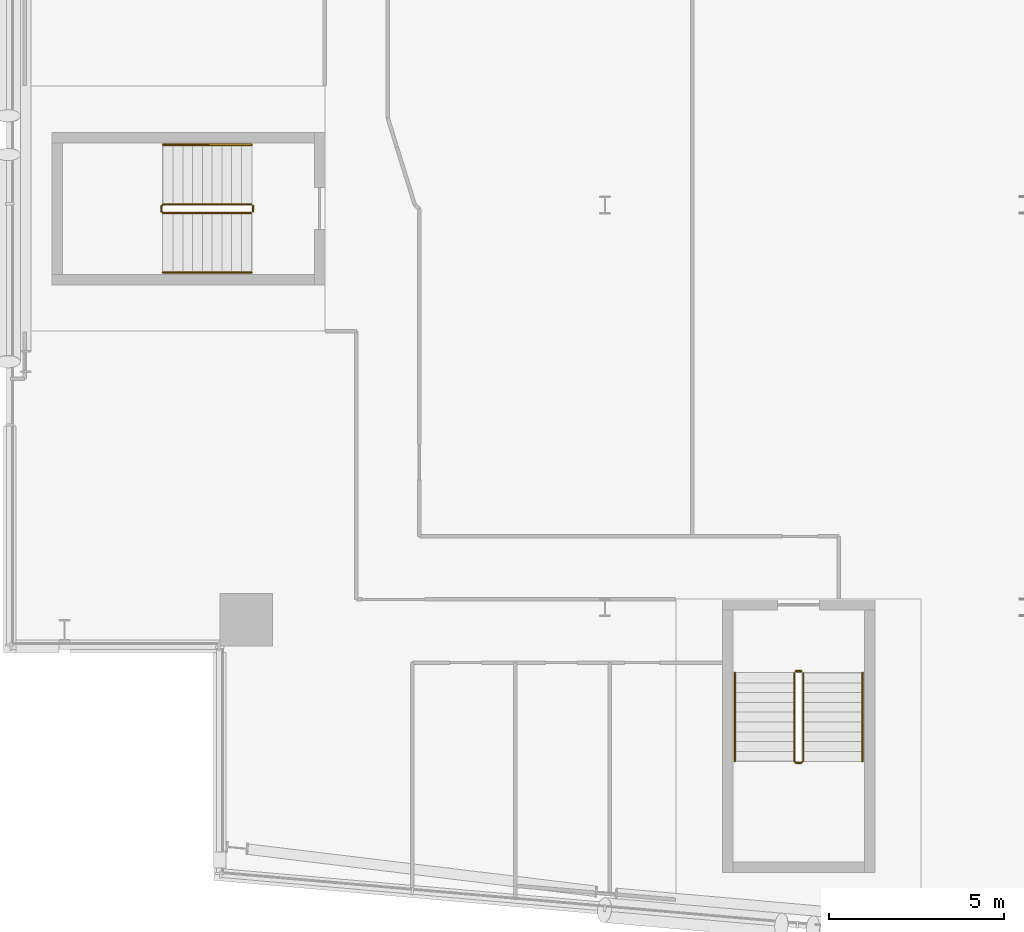
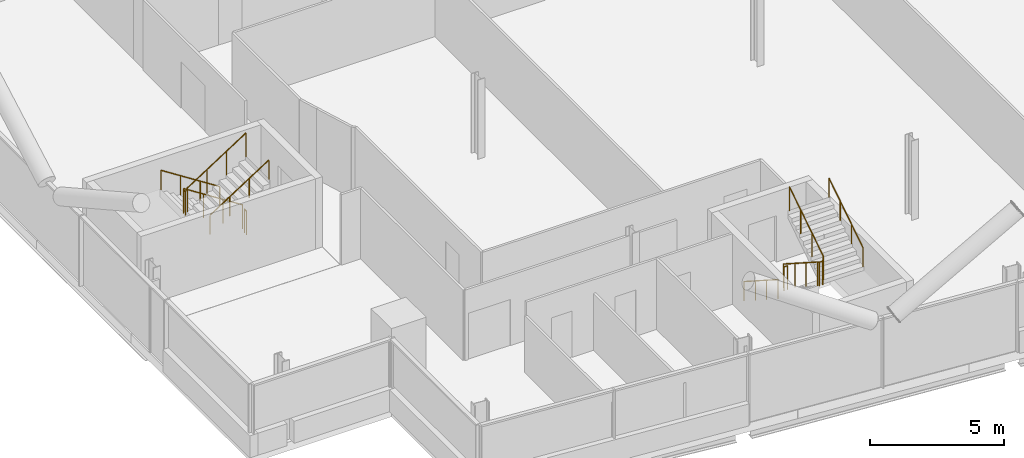
# One storey, part 24 of 26: 8 railings.
"""IFC4 building model written with IfcOpenShell, lengths in metres."""

from ifc_helpers import new_model, si_unit, direction, frame, origin, origin_2d, place, context, subcontext, project, spatial, circle, extrude, material, type_object, element, save


model = new_model("IFC4")

# Units and contexts
model_context = context("Model", 3, precision=1e-05, world=origin(), true_north=direction((0.0, 1.0)))
body_context = subcontext(model_context, "Body", "Model", "MODEL_VIEW")
ifc_project = project(units=[si_unit("LENGTHUNIT", "METRE"), si_unit("AREAUNIT", "SQUARE_METRE"), si_unit("VOLUMEUNIT", "CUBIC_METRE"), si_unit("PLANEANGLEUNIT", "RADIAN"), si_unit("MASSUNIT", "GRAM", prefix="KILO")], contexts=[model_context])

# Site, building, storey
site_placement = place(None, origin())
site = spatial("IfcSite", under=ifc_project, at=site_placement, CompositionType="ELEMENT")
building_placement = place(site_placement, origin())
building = spatial("IfcBuilding", under=site, at=building_placement, Name="Wharfspan Tower", CompositionType="ELEMENT")
storey_placement = place(building_placement, frame((0.0, 0.0, 180.699951)))
storey = spatial("IfcBuildingStorey", under=building, at=storey_placement, Name="L44", CompositionType="ELEMENT", Elevation=180.699951)

# Railings
ifc_material = material(Name="Steel S355J2", Category="steel")
railing_type_1 = type_object("IfcRailingType", Name="Stair guard 1100", PredefinedType="GUARDRAIL", material=ifc_material)
railing_1_placement = place(storey_placement, frame((13.899902, 23.024902, 0.179932)))
element("IfcRailing", 1, at=railing_1_placement, inside=storey, type_object=railing_type_1, Name="L44 ST3 stair guard 1", PredefinedType="GUARDRAIL", context=body_context, shape_type="SweptSolid", body=[
    extrude(circle(Radius=0.023926, at=origin_2d()), frame((0.0, 0.0, 1.076172), z_axis=(-0.841163, 0.0, 0.540782), x_axis=(0.0, -1.0, 0.0)), (0.0, 0.0, 1.0), 2.99585),
    extrude(circle(Radius=0.023926, at=origin_2d()), frame((-2.52002, 0.0, 2.696289), z_axis=(-0.707107, -0.707107, 0.0), x_axis=(0.707107, -0.707107, 0.0)), (0.0, 0.0, 1.0), 0.070312),
    extrude(circle(Radius=0.023926, at=origin_2d()), frame((-2.569824, -0.049805, 2.696289), z_axis=(0.0, -1.0, 0.0), x_axis=(1.0, 0.0, 0.0)), (0.0, 0.0, 1.0), 0.150146),
    extrude(circle(Radius=0.023926, at=origin_2d()), frame((-2.569824, -0.199951, 2.696289), z_axis=(0.257669, -0.258932, 0.930892), x_axis=(0.708833, 0.705372, -1e-06)), (0.0, 0.0, 1.0), 0.193359),
    extrude(circle(Radius=0.023926, at=origin_2d()), frame((-2.52002, -0.25, 2.875977), z_axis=(0.841163, 0.0, 0.540782), x_axis=(0.0, 1.0, 0.0)), (0.0, 0.0, 1.0), 2.99585),
    extrude(circle(Radius=0.020996, at=origin_2d()), origin(), (0.0, 0.0, 1.0), 1.052002),
    extrude(circle(Radius=0.020996, at=origin_2d()), frame((-0.840088, 0.0, 0.540039)), (0.0, 0.0, 1.0), 1.052002),
    extrude(circle(Radius=0.020996, at=origin_2d()), frame((-1.679932, 0.0, 1.080078)), (0.0, 0.0, 1.0), 1.052002),
    extrude(circle(Radius=0.020996, at=origin_2d()), frame((-2.52002, 0.0, 1.620117)), (0.0, 0.0, 1.0), 1.052002),
    extrude(circle(Radius=0.020996, at=origin_2d()), frame((-2.569824, -0.049805, 1.620117)), (0.0, 0.0, 1.0), 1.052002),
    extrude(circle(Radius=0.020996, at=origin_2d()), frame((-2.569824, -0.199951, 1.620117)), (0.0, 0.0, 1.0), 1.052002),
    extrude(circle(Radius=0.020996, at=origin_2d()), frame((-2.52002, -0.25, 1.800049)), (0.0, 0.0, 1.0), 1.052002),
    extrude(circle(Radius=0.020996, at=origin_2d()), frame((-1.679932, -0.25, 2.340088)), (0.0, 0.0, 1.0), 1.052002),
    extrude(circle(Radius=0.020996, at=origin_2d()), frame((-0.840088, -0.25, 2.880127)), (0.0, 0.0, 1.0), 1.052002),
    extrude(circle(Radius=0.020996, at=origin_2d()), frame((0.0, -0.25, 3.420166)), (0.0, 0.0, 1.0), 1.052002),
])
railing_2_placement = place(storey_placement, frame((13.949951, 22.975098, 0.0)))
element("IfcRailing", 2, at=railing_2_placement, inside=storey, type_object=railing_type_1, Name="L44 ST3 stair guard 2", PredefinedType="GUARDRAIL", context=body_context, shape_type="SweptSolid", body=[
    extrude(circle(Radius=0.023926, at=origin_2d()), frame((0.0, 0.0, 1.076172), z_axis=(0.0, -1.0, 0.0), x_axis=(1.0, 0.0, 0.0)), (0.0, 0.0, 1.0), 0.150146),
    extrude(circle(Radius=0.020996, at=origin_2d()), origin(), (0.0, 0.0, 1.0), 1.052002),
    extrude(circle(Radius=0.020996, at=origin_2d()), frame((0.0, -0.150146, 0.0)), (0.0, 0.0, 1.0), 1.052002),
])
railing_3_placement = place(storey_placement, frame((29.414307, 9.634277, 0.179932)))
element("IfcRailing", 3, at=railing_3_placement, inside=storey, type_object=railing_type_1, Name="L44 ST4 stair guard 1", PredefinedType="GUARDRAIL", context=body_context, shape_type="SweptSolid", body=[
    extrude(circle(Radius=0.023926, at=origin_2d()), frame((0.0, 0.0, 1.076172), z_axis=(0.0, -0.841163, 0.540782), x_axis=(1.0, 0.0, 0.0)), (0.0, 0.0, 1.0), 2.99585),
    extrude(circle(Radius=0.023926, at=origin_2d()), frame((0.0, -2.52002, 2.696289), z_axis=(0.705376, -0.708834, 0.0), x_axis=(0.708834, 0.705376, 0.0)), (0.0, 0.0, 1.0), 0.070557),
    extrude(circle(Radius=0.023926, at=origin_2d()), frame((0.049805, -2.570068, 2.696289), z_axis=(1.0, 0.0, 0.0), x_axis=(0.0, 1.0, 0.0)), (0.0, 0.0, 1.0), 0.150146),
    extrude(circle(Radius=0.023926, at=origin_2d()), frame((0.199951, -2.570068, 2.696289), z_axis=(0.258848, 0.258848, 0.930589), x_axis=(-0.707107, 0.707107, 0.0)), (0.0, 0.0, 1.0), 0.193359),
    extrude(circle(Radius=0.023926, at=origin_2d()), frame((0.25, -2.52002, 2.875977), z_axis=(0.0, 0.841163, 0.540782), x_axis=(-1.0, 0.0, 0.0)), (0.0, 0.0, 1.0), 2.99585),
    extrude(circle(Radius=0.020996, at=origin_2d()), origin(), (0.0, 0.0, 1.0), 1.052002),
    extrude(circle(Radius=0.020996, at=origin_2d()), frame((0.0, -0.840088, 0.540039)), (0.0, 0.0, 1.0), 1.052002),
    extrude(circle(Radius=0.020996, at=origin_2d()), frame((0.0, -1.679932, 1.080078)), (0.0, 0.0, 1.0), 1.052002),
    extrude(circle(Radius=0.020996, at=origin_2d()), frame((0.0, -2.52002, 1.620117)), (0.0, 0.0, 1.0), 1.052002),
    extrude(circle(Radius=0.020996, at=origin_2d()), frame((0.049805, -2.570068, 1.620117)), (0.0, 0.0, 1.0), 1.052002),
    extrude(circle(Radius=0.020996, at=origin_2d()), frame((0.199951, -2.570068, 1.620117)), (0.0, 0.0, 1.0), 1.052002),
    extrude(circle(Radius=0.020996, at=origin_2d()), frame((0.25, -2.52002, 1.800049)), (0.0, 0.0, 1.0), 1.052002),
    extrude(circle(Radius=0.020996, at=origin_2d()), frame((0.25, -1.679932, 2.340088)), (0.0, 0.0, 1.0), 1.052002),
    extrude(circle(Radius=0.020996, at=origin_2d()), frame((0.25, -0.840088, 2.880127)), (0.0, 0.0, 1.0), 1.052002),
    extrude(circle(Radius=0.020996, at=origin_2d()), frame((0.25, 0.0, 3.420166)), (0.0, 0.0, 1.0), 1.052002),
])
railing_4_placement = place(storey_placement, frame((29.464111, 9.684326, 0.0)))
element("IfcRailing", 4, at=railing_4_placement, inside=storey, type_object=railing_type_1, Name="L44 ST4 stair guard 2", PredefinedType="GUARDRAIL", context=body_context, shape_type="SweptSolid", body=[
    extrude(circle(Radius=0.023926, at=origin_2d()), frame((0.0, 0.0, 1.076172), z_axis=(1.0, 0.0, 0.0), x_axis=(0.0, 1.0, 0.0)), (0.0, 0.0, 1.0), 0.150146),
    extrude(circle(Radius=0.020996, at=origin_2d()), origin(), (0.0, 0.0, 1.0), 1.052002),
    extrude(circle(Radius=0.020996, at=origin_2d()), frame((0.150146, 0.0, 0.0)), (0.0, 0.0, 1.0), 1.052002),
])
railing_type_2 = type_object("IfcRailingType", Name="Stair handrail 900", PredefinedType="HANDRAIL", material=ifc_material)
railing_5_placement = place(storey_placement, frame((13.899902, 24.725098, 0.179932)))
element("IfcRailing", 5, at=railing_5_placement, inside=storey, type_object=railing_type_2, Name="L44 ST3 stair handrail 1", PredefinedType="HANDRAIL", context=body_context, shape_type="SweptSolid", body=[
    extrude(circle(Radius=0.023926, at=origin_2d()), frame((0.0, 0.0, 0.875977), z_axis=(-0.841163, 0.0, 0.540782), x_axis=(0.0, -1.0, 0.0)), (0.0, 0.0, 1.0), 2.99585),
    extrude(circle(Radius=0.020996, at=origin_2d()), origin(), (0.0, 0.0, 1.0), 0.851807),
    extrude(circle(Radius=0.020996, at=origin_2d()), frame((-0.840088, 0.0, 0.540039)), (0.0, 0.0, 1.0), 0.851807),
    extrude(circle(Radius=0.020996, at=origin_2d()), frame((-1.679932, 0.0, 1.080078)), (0.0, 0.0, 1.0), 0.851807),
    extrude(circle(Radius=0.020996, at=origin_2d()), frame((-2.52002, 0.0, 1.620117)), (0.0, 0.0, 1.0), 0.851807),
])
railing_6_placement = place(storey_placement, frame((11.379883, 21.074951, 1.97998)))
element("IfcRailing", 6, at=railing_6_placement, inside=storey, type_object=railing_type_2, Name="L44 ST3 stair handrail 2", PredefinedType="HANDRAIL", context=body_context, shape_type="SweptSolid", body=[
    extrude(circle(Radius=0.023926, at=origin_2d()), frame((0.0, 0.0, 0.875977), z_axis=(0.841163, 0.0, 0.540782), x_axis=(0.0, 1.0, 0.0)), (0.0, 0.0, 1.0), 2.99585),
    extrude(circle(Radius=0.020996, at=origin_2d()), origin(), (0.0, 0.0, 1.0), 0.851807),
    extrude(circle(Radius=0.020996, at=origin_2d()), frame((0.840088, 0.0, 0.540039)), (0.0, 0.0, 1.0), 0.851807),
    extrude(circle(Radius=0.020996, at=origin_2d()), frame((1.679932, 0.0, 1.080078)), (0.0, 0.0, 1.0), 0.851807),
    extrude(circle(Radius=0.020996, at=origin_2d()), frame((2.52002, 0.0, 1.620117)), (0.0, 0.0, 1.0), 0.851807),
])
railing_7_placement = place(storey_placement, frame((27.714111, 9.634277, 0.179932)))
element("IfcRailing", 7, at=railing_7_placement, inside=storey, type_object=railing_type_2, Name="L44 ST4 stair handrail 1", PredefinedType="HANDRAIL", context=body_context, shape_type="SweptSolid", body=[
    extrude(circle(Radius=0.023926, at=origin_2d()), frame((0.0, 0.0, 0.875977), z_axis=(0.0, -0.841163, 0.540782), x_axis=(1.0, 0.0, 0.0)), (0.0, 0.0, 1.0), 2.99585),
    extrude(circle(Radius=0.020996, at=origin_2d()), origin(), (0.0, 0.0, 1.0), 0.851807),
    extrude(circle(Radius=0.020996, at=origin_2d()), frame((0.0, -0.840088, 0.540039)), (0.0, 0.0, 1.0), 0.851807),
    extrude(circle(Radius=0.020996, at=origin_2d()), frame((0.0, -1.679932, 1.080078)), (0.0, 0.0, 1.0), 0.851807),
    extrude(circle(Radius=0.020996, at=origin_2d()), frame((0.0, -2.52002, 1.620117)), (0.0, 0.0, 1.0), 0.851807),
])
railing_8_placement = place(storey_placement, frame((31.364258, 7.114258, 1.97998)))
element("IfcRailing", 8, at=railing_8_placement, inside=storey, type_object=railing_type_2, Name="L44 ST4 stair handrail 2", PredefinedType="HANDRAIL", context=body_context, shape_type="SweptSolid", body=[
    extrude(circle(Radius=0.023926, at=origin_2d()), frame((0.0, 0.0, 0.875977), z_axis=(0.0, 0.841163, 0.540782), x_axis=(-1.0, 0.0, 0.0)), (0.0, 0.0, 1.0), 2.99585),
    extrude(circle(Radius=0.020996, at=origin_2d()), origin(), (0.0, 0.0, 1.0), 0.851807),
    extrude(circle(Radius=0.020996, at=origin_2d()), frame((0.0, 0.840088, 0.540039)), (0.0, 0.0, 1.0), 0.851807),
    extrude(circle(Radius=0.020996, at=origin_2d()), frame((0.0, 1.679932, 1.080078)), (0.0, 0.0, 1.0), 0.851807),
    extrude(circle(Radius=0.020996, at=origin_2d()), frame((0.0, 2.52002, 1.620117)), (0.0, 0.0, 1.0), 0.851807),
])

save(model, "model.ifc")
